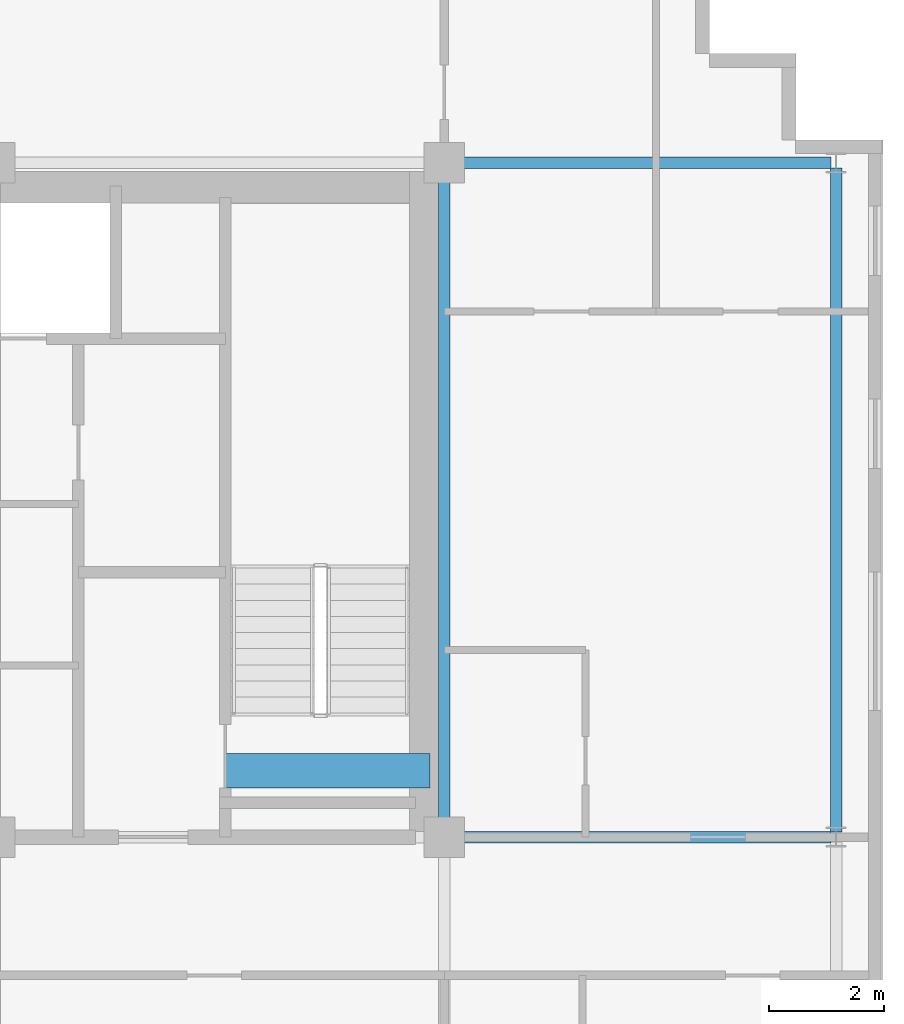
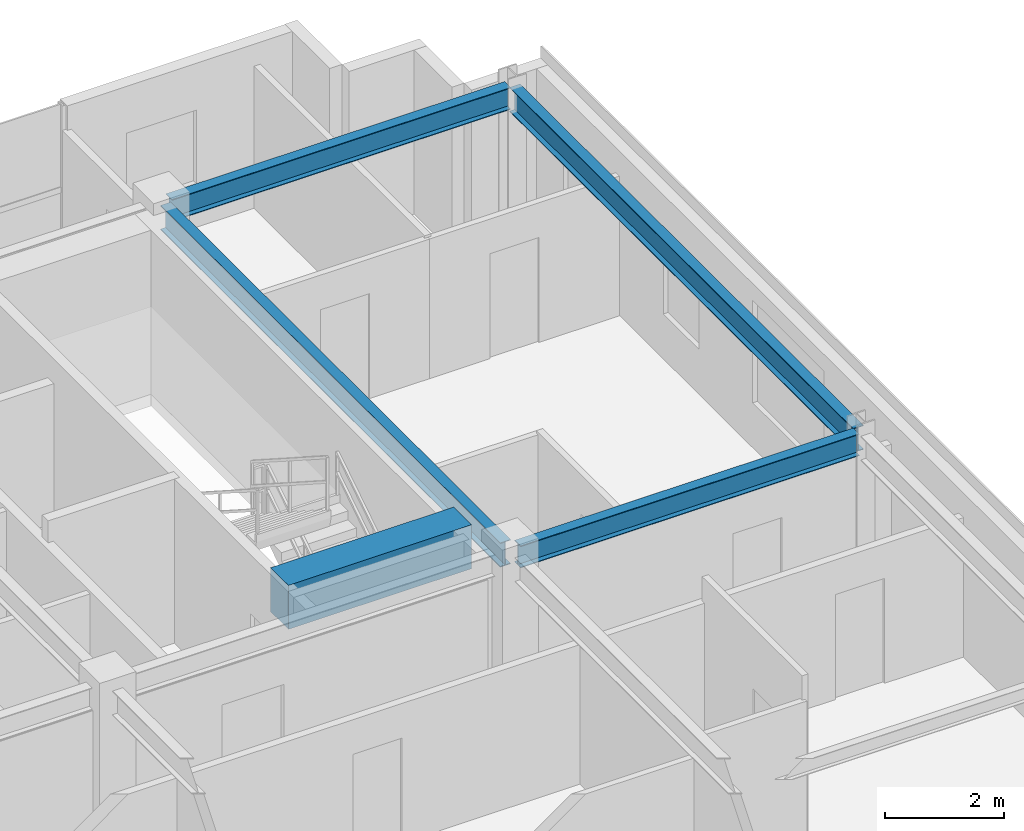
# One storey, part 13 of 23: 5 beams.
"""IFC4 building model written with IfcOpenShell, lengths in metres."""

from ifc_helpers import new_model, si_unit, direction, frame, origin, origin_2d, place, context, subcontext, project, spatial, rectangle, i_section, extrude, source, transform, mapped, material, material_profile, profile_set, type_object, element, save


model = new_model("IFC4")

# Units and contexts
model_context = context("Model", 3, precision=1e-05, world=origin(), true_north=direction((0.0, 1.0)))
body_context = subcontext(model_context, "Body", "Model", "MODEL_VIEW")
ifc_project = project(units=[si_unit("LENGTHUNIT", "METRE"), si_unit("AREAUNIT", "SQUARE_METRE"), si_unit("VOLUMEUNIT", "CUBIC_METRE"), si_unit("PLANEANGLEUNIT", "RADIAN"), si_unit("MASSUNIT", "GRAM", prefix="KILO")], contexts=[model_context])

# Site, building, storey
site_placement = place(None, origin())
site = spatial("IfcSite", under=ifc_project, at=site_placement, CompositionType="ELEMENT")
building_placement = place(site_placement, origin())
building = spatial("IfcBuilding", under=site, at=building_placement, Name="Trelvane Seafront Commons", CompositionType="ELEMENT")
storey_placement = place(building_placement, frame((0.0, 0.0, 219.300048828125)))
storey = spatial("IfcBuildingStorey", under=building, at=storey_placement, Name="L57", CompositionType="ELEMENT", Elevation=219.300048828125)

# Beams
ifc_material_1 = material(Name="Concrete C60/75", Category="concrete")
ifc_material_profile_1 = material_profile(ifc_material_1, rectangle(XDim=0.60009765625, YDim=0.89990234375, at=origin_2d()), Name="RC-600x900")
ifc_profile_set_1 = profile_set([ifc_material_profile_1], Name="Concrete C60/75")
beam_type_1 = type_object("IfcBeamType", Name="STR-LNT-RC600x900", PredefinedType="LINTEL", material=ifc_profile_set_1)
shared_shape_1 = source(origin(), body_context, "Body", "SweptSolid", [
    extrude(rectangle(XDim=0.60009765625, YDim=0.89990234375, at=origin_2d()), origin(), (0.0, 0.0, 1.0), 3.550048828125),
])
beam_1_placement = place(storey_placement, frame((55.0, 34.550048828125, 2.909912109375), z_axis=(1.0, 0.0, 0.0), x_axis=(0.0, 1.0, 0.0)))
element("IfcBeam", 1, at=beam_1_placement, inside=storey, type_object=beam_type_1, Name="L57 Core Coupling Lintel Beam CB-68", PredefinedType="LINTEL", context=body_context, shape_type="MappedRepresentation", body=[
    mapped(shared_shape_1, transform((0.0, 0.0, 0.0), x_axis=(1.0, 0.0, 0.0), y_axis=(0.0, 1.0, 0.0), z_axis=(0.0, 0.0, 1.0), scale=1.0)),
])
ifc_material_2 = material(Name="Steel SM355 (S355)", Category="steel")
ifc_material_profile_2 = material_profile(ifc_material_2, i_section(OverallWidth=0.199951171875, OverallDepth=0.5, WebThickness=0.010009765625, FlangeThickness=0.01611328125, at=origin_2d()), Name="H-500x200x10x16")
ifc_profile_set_2 = profile_set([ifc_material_profile_2], Name="Steel SM355 (S355)")
beam_type_2 = type_object("IfcBeamType", Name="STR-BM-H500", PredefinedType="BEAM", material=ifc_profile_set_2)
shared_shape_2 = source(origin(), body_context, "Body", "SweptSolid", [
    extrude(i_section(OverallWidth=0.199951171875, OverallDepth=0.5, WebThickness=0.010009765625, FlangeThickness=0.01611328125, at=origin_2d()), origin(), (0.0, 0.0, 1.0), 11.39990234375),
])
beam_2_placement = place(storey_placement, frame((58.800048828125, 33.550048828125, 3.10986328125), z_axis=(0.0, 1.0, 0.0), x_axis=(-1.0, 0.0, 0.0)))
element("IfcBeam", 2, at=beam_2_placement, inside=storey, type_object=beam_type_2, Name="L57 Primary Girder G-49", PredefinedType="BEAM", context=body_context, shape_type="MappedRepresentation", body=[
    mapped(shared_shape_2, transform((0.0, 0.0, 0.0), x_axis=(1.0, 0.0, 0.0), y_axis=(0.0, 1.0, 0.0), z_axis=(0.0, 0.0, 1.0), scale=1.0)),
])
ifc_material_profile_3 = material_profile(ifc_material_2, i_section(OverallWidth=0.199951171875, OverallDepth=0.449951171875, WebThickness=0.009033203125, FlangeThickness=0.013916015625, at=origin_2d()), Name="H-450x200x9x14")
ifc_profile_set_3 = profile_set([ifc_material_profile_3], Name="Steel SM355 (S355)")
beam_type_3 = type_object("IfcBeamType", Name="STR-SPD-H450", PredefinedType="SPANDREL", material=ifc_profile_set_3)
shared_shape_3 = source(origin(), body_context, "Body", "SweptSolid", [
    extrude(i_section(OverallWidth=0.199951171875, OverallDepth=0.449951171875, WebThickness=0.009033203125, FlangeThickness=0.013916015625, at=origin_2d()), origin(), (0.0, 0.0, 1.0), 6.5625),
])
for number, where, z_axis, x_axis, name in (
    (3, (58.949951171875, 33.39990234375, 3.135009765625), (1.0, 0.0, 0.0), (0.0, 1.0, 0.0), "L57 Primary Girder G-21"),
    (4, (58.949951171875, 45.10009765625, 3.135009765625), (1.0, 0.0, 0.0), (0.0, 1.0, 0.0), "L57 Primary Girder G-28"),
):
    element("IfcBeam", number, at=place(storey_placement, frame(where, z_axis=z_axis, x_axis=x_axis)), inside=storey, type_object=beam_type_3, Name=name, PredefinedType="SPANDREL", context=body_context, shape_type="MappedRepresentation", body=[
        mapped(shared_shape_3, transform((0.0, 0.0, 0.0), x_axis=(1.0, 0.0, 0.0), y_axis=(0.0, 1.0, 0.0), z_axis=(0.0, 0.0, 1.0), scale=1.0)),
    ])
shared_shape_4 = source(origin(), body_context, "Body", "SweptSolid", [
    extrude(i_section(OverallWidth=0.199951171875, OverallDepth=0.5, WebThickness=0.010009765625, FlangeThickness=0.01611328125, at=origin_2d()), origin(), (0.0, 0.0, 1.0), 11.52490234375),
])
beam_3_placement = place(storey_placement, frame((65.60009765625, 33.487548828125, 3.10986328125), z_axis=(0.0, 1.0, 0.0), x_axis=(-1.0, 0.0, 0.0)))
element("IfcBeam", 5, at=beam_3_placement, inside=storey, type_object=beam_type_2, Name="L57 Primary Girder G-52", PredefinedType="BEAM", context=body_context, shape_type="MappedRepresentation", body=[
    mapped(shared_shape_4, transform((0.0, 0.0, 0.0), x_axis=(1.0, 0.0, 0.0), y_axis=(0.0, 1.0, 0.0), z_axis=(0.0, 0.0, 1.0), scale=1.0)),
])

save(model, "model.ifc")
